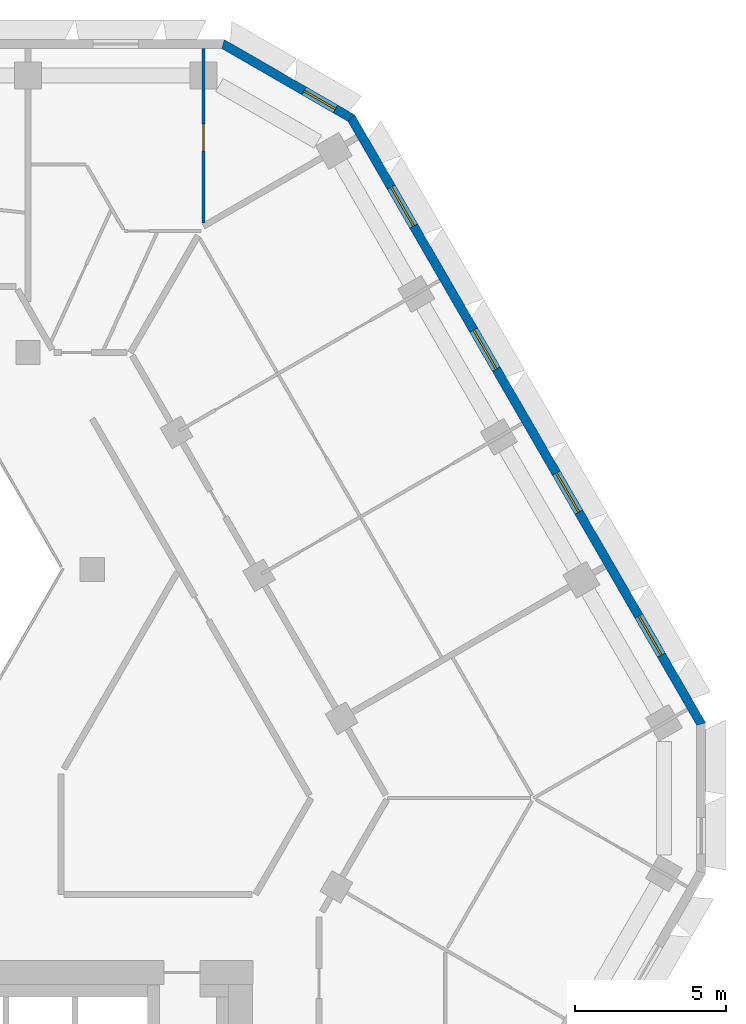
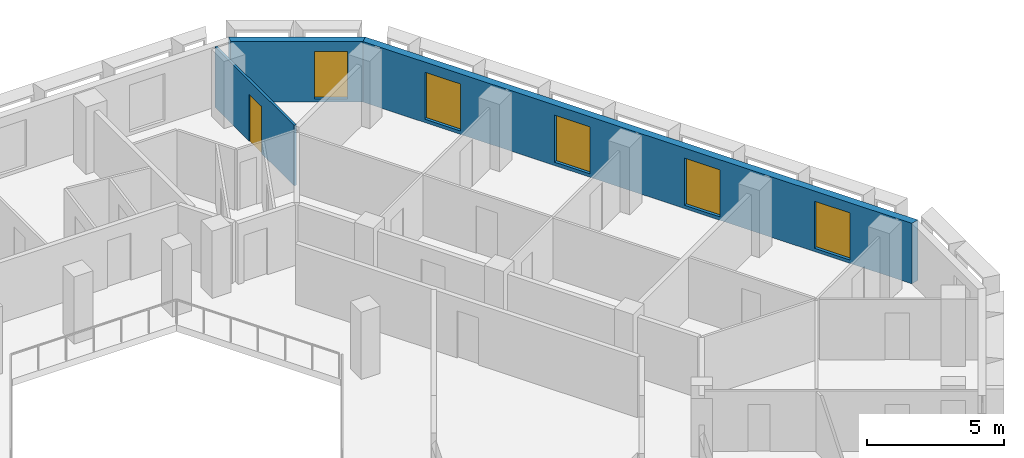
# One storey, part 9 of 15: 5 windows, 3 walls, 1 door, 6 openings.
"""IFC4 building model written with IfcOpenShell, lengths in metres."""

import ifcopenshell
import ifcopenshell.guid

model = None  # the IFC model being written
_history = None  # IfcOwnerHistory: only IFC2X3 demands one
_inside = {}  # id of a spatial element -> (the spatial element, [elements in it])
_under = {}  # id of a project, library or spatial element -> (it, [spatial elements below it])
_declared = {}  # id of a project -> (the project, [libraries it declares])
_typed = {}  # id of a type object -> (the type object, [elements of that type])
_made_of = {}  # id of a material, layer set ... -> (it, [elements and type objects made of it])


def new_model(schema):
    """Start an empty IFC model of exactly this schema.

    Asked for "IFC4X3", IfcOpenShell would pick the latest addendum, in which some entities
    have other attributes; the version numbers below select the first issue.
    IFC2X3 requires an IfcOwnerHistory on every rooted entity: one is made here for all.
    """
    global model, _history
    if schema == "IFC4X3":
        model = ifcopenshell.file(schema_version=(4, 3, 0, 0))
    else:
        model = ifcopenshell.file(schema=schema)
    _inside.clear()
    _under.clear()
    _declared.clear()
    _typed.clear()
    _made_of.clear()
    _history = None
    if model.schema == "IFC2X3":
        org = make("IfcOrganization", Name="unknown")
        user = make(
            "IfcPersonAndOrganization",
            ThePerson=make("IfcPerson", FamilyName="unknown"),
            TheOrganization=org,
        )
        app = make(
            "IfcApplication",
            ApplicationDeveloper=org,
            Version="unknown",
            ApplicationFullName="unknown",
            ApplicationIdentifier="unknown",
        )
        _history = make(
            "IfcOwnerHistory",
            OwningUser=user,
            OwningApplication=app,
            ChangeAction="ADDED",
            CreationDate=0,
        )
    return model


def make(cls, **values):
    """One entity of the class cls with the attributes given. An attribute that is None is left unset."""
    return model.create_entity(
        cls, **{name: value for name, value in values.items() if value is not None}
    )


def rooted(cls, **values):
    """An entity with a GlobalId (a new one), such as an element, a storey or a relation."""
    return make(cls, GlobalId=ifcopenshell.guid.new(), OwnerHistory=_history, **values)


def si_unit(unit_type, name, prefix=None):
    """IfcSIUnit, for example si_unit("LENGTHUNIT", "METRE", prefix="MILLI")."""
    return make("IfcSIUnit", UnitType=unit_type, Prefix=prefix, Name=name)


def assignment(units):
    """IfcUnitAssignment: the units of a project."""
    return None if units is None else make("IfcUnitAssignment", Units=units)


def point(xyz):
    """IfcCartesianPoint."""
    return None if xyz is None else make("IfcCartesianPoint", Coordinates=xyz)


def direction(xyz):
    """IfcDirection."""
    return None if xyz is None else make("IfcDirection", DirectionRatios=xyz)


def frame(location, z_axis=None, x_axis=None):
    """IfcAxis2Placement3D, a coordinate frame: its origin and axes. An axis left out is left unset."""
    return make(
        "IfcAxis2Placement3D",
        Location=point(location),
        Axis=direction(z_axis),
        RefDirection=direction(x_axis),
    )


def frame_2d(location, x_axis=None):
    """IfcAxis2Placement2D, a coordinate frame in the plane: its origin and x axis."""
    return make(
        "IfcAxis2Placement2D", Location=point(location), RefDirection=direction(x_axis)
    )


def origin():
    """The frame at (0, 0, 0) with its axes left unset."""
    return frame((0.0, 0.0, 0.0))


def place(relative_to, where):
    """IfcLocalPlacement: puts the frame where relative to a parent placement (None: the world)."""
    return make(
        "IfcLocalPlacement", PlacementRelTo=relative_to, RelativePlacement=where
    )


def context(
    kind, dimensions, precision=None, world=None, true_north=None, identifier=None
):
    """IfcGeometricRepresentationContext, for example the 3D "Model" context."""
    return make(
        "IfcGeometricRepresentationContext",
        ContextIdentifier=identifier,
        ContextType=kind,
        CoordinateSpaceDimension=dimensions,
        Precision=precision,
        WorldCoordinateSystem=world,
        TrueNorth=true_north,
    )


def subcontext(parent, identifier, kind, view, scale=None):
    """IfcGeometricRepresentationSubContext, for example "Body" below "Model"."""
    return make(
        "IfcGeometricRepresentationSubContext",
        ContextIdentifier=identifier,
        ContextType=kind,
        ParentContext=parent,
        TargetScale=scale,
        TargetView=view,
    )


def project(units=None, contexts=None):
    """IfcProject with its units and contexts."""
    return rooted(
        "IfcProject",
        Name="project",
        RepresentationContexts=contexts,
        UnitsInContext=assignment(units),
    )


def spatial(cls, under=None, at=None, **own):
    """A site, building, storey or space (cls), placed at a placement, below another one or the project."""
    s = rooted(cls, ObjectPlacement=at, **own)
    if under is not None:
        _under.setdefault(under.id(), (under, []))[1].append(s)
    return s


def polyline(points):
    """IfcPolyline through the points."""
    return make("IfcPolyline", Points=[point(p) for p in points])


def profile(cls, at=None, kind="AREA", **sizes):
    """A parametric profile (cls). Its sizes go by their IFC names, for example OverallWidth=200.0."""
    return make(cls, ProfileType=kind, Position=at, **sizes)


def rectangle(**sizes):
    """IfcRectangleProfileDef."""
    return profile("IfcRectangleProfileDef", **sizes)


def outline(outer, holes=None, kind="AREA"):
    """IfcArbitraryClosedProfileDef: a profile drawn as a closed curve; with holes, ...WithVoids."""
    if holes is None:
        return make("IfcArbitraryClosedProfileDef", ProfileType=kind, OuterCurve=outer)
    return make(
        "IfcArbitraryProfileDefWithVoids",
        ProfileType=kind,
        OuterCurve=outer,
        InnerCurves=holes,
    )


def extrude(swept, where, along, depth):
    """IfcExtrudedAreaSolid: the profile swept, set in the frame where, extruded along a direction by depth."""
    return make(
        "IfcExtrudedAreaSolid",
        SweptArea=swept,
        Position=where,
        ExtrudedDirection=direction(along),
        Depth=depth,
    )


def shape(context_of_items, identifier, shape_type, items):
    """IfcShapeRepresentation: the items that make up one representation, for example the "Body"."""
    return make(
        "IfcShapeRepresentation",
        ContextOfItems=context_of_items,
        RepresentationIdentifier=identifier,
        RepresentationType=shape_type,
        Items=items,
    )


def material(Name=None, Category=None):
    """IfcMaterial."""
    return make("IfcMaterial", Name=Name, Category=Category)


def layer(
    of_material, thickness, ventilated=None, Name=None, Category=None, Priority=None
):
    """IfcMaterialLayer: one layer of a wall or slab, of a material (None: an air gap)."""
    return make(
        "IfcMaterialLayer",
        Material=of_material,
        LayerThickness=thickness,
        IsVentilated=ventilated,
        Name=Name,
        Category=Category,
        Priority=Priority,
    )


def layer_set(layers, Name=None):
    """IfcMaterialLayerSet."""
    return make("IfcMaterialLayerSet", MaterialLayers=layers, LayerSetName=Name)


def made_of(thing, what):
    """Note that an element or type object is made of a material, layer set ...; save() writes the relation."""
    if what is not None:
        _made_of.setdefault(what.id(), (what, []))[1].append(thing)
    return thing


def type_object(cls, material=None, **own):
    """A type object (cls), such as IfcWallType, which elements share."""
    return made_of(rooted(cls, **own), material)


def element(
    cls,
    number,
    at=None,
    inside=None,
    cuts=None,
    type_object=None,
    material=None,
    context=None,
    identifier="Body",
    shape_type=None,
    held_by="IfcProductDefinitionShape",
    body=None,
    shapes=None,
    **own,
):
    """One element of the class cls, such as IfcWall. Its Tag is "e" and its number.

    at: its placement. inside: the storey or other place that contains it. cuts: it is an
    opening in that element (IfcRelVoidsElement). A single representation is given by context,
    identifier, shape_type and body (its items); several are given by shapes. held_by: the class
    of the entity that holds the representations. save() writes the other relations.
    """
    e = rooted(cls, Tag="e%d" % number, ObjectPlacement=at, **own)
    if body is not None:
        shapes = [shape(context, identifier, shape_type, body)]
    if shapes is not None:
        e.Representation = make(held_by, Representations=shapes)
    if inside is not None:
        _inside.setdefault(inside.id(), (inside, []))[1].append(e)
    if cuts is not None:
        rooted(
            "IfcRelVoidsElement", RelatingBuildingElement=cuts, RelatedOpeningElement=e
        )
    if type_object is not None:
        _typed.setdefault(type_object.id(), (type_object, []))[1].append(e)
    return made_of(e, material)


def fill(opening, filler):
    """IfcRelFillsElement: the door or window that sits in an opening."""
    return rooted(
        "IfcRelFillsElement",
        RelatingOpeningElement=opening,
        RelatedBuildingElement=filler,
    )


def aggregate(whole, parts):
    """IfcRelAggregates: a whole, such as a stair, and the parts it consists of."""
    return rooted("IfcRelAggregates", RelatingObject=whole, RelatedObjects=parts)


def save(model, path):
    """Write the relations noted so far, then the file.

    IfcRelAggregates (storeys below a building ...), IfcRelContainedInSpatialStructure (elements
    in a storey), IfcRelDefinesByType, IfcRelAssociatesMaterial and IfcRelDeclares: one each for
    every whole, place, type object, material and project.
    """
    for whole, parts in _under.values():
        aggregate(whole, parts)
    for where, things in _inside.values():
        rooted(
            "IfcRelContainedInSpatialStructure",
            RelatedElements=things,
            RelatingStructure=where,
        )
    for kind, things in _typed.values():
        rooted("IfcRelDefinesByType", RelatedObjects=things, RelatingType=kind)
    for what, things in _made_of.values():
        rooted("IfcRelAssociatesMaterial", RelatedObjects=things, RelatingMaterial=what)
    for by, libraries in _declared.values():
        rooted("IfcRelDeclares", RelatingContext=by, RelatedDefinitions=libraries)
    model.write(path)


model = new_model("IFC4")

# Units and contexts
model_context = context("Model", 3, precision=1e-05, world=origin(), true_north=direction((0.0, 1.0)))
body_context = subcontext(model_context, "Body", "Model", "MODEL_VIEW")
ifc_project = project(units=[si_unit("LENGTHUNIT", "METRE"), si_unit("AREAUNIT", "SQUARE_METRE"), si_unit("VOLUMEUNIT", "CUBIC_METRE"), si_unit("PLANEANGLEUNIT", "RADIAN"), si_unit("MASSUNIT", "GRAM", prefix="KILO")], contexts=[model_context])

# Site, building, storey
site_placement = place(None, origin())
site = spatial("IfcSite", under=ifc_project, at=site_placement, CompositionType="ELEMENT")
building_placement = place(site_placement, origin())
building = spatial("IfcBuilding", under=site, at=building_placement, Name="Beryl Residences", CompositionType="ELEMENT")
storey_placement = place(building_placement, frame((0.0, 0.0, 129.60009765625)))
storey = spatial("IfcBuildingStorey", under=building, at=storey_placement, Name="L39", CompositionType="ELEMENT", Elevation=129.60009765625)

# Wall, openings, windows
ifc_material_1 = material(Name="Composite metal panel with mineral wool insulation")
ifc_layer_1 = layer(ifc_material_1, 0.300048828125)
ifc_layer_set_1 = layer_set([ifc_layer_1], Name="ES1 pale metal composite panel wall 300 mm")
wall_type_1 = type_object("IfcWallType", Name="ES1 pale metal composite panel wall 300 mm", PredefinedType="SOLIDWALL", material=ifc_layer_set_1)
wall_1_placement = place(storey_placement, frame((28.218017578125, 2.824951171875, 0.0), z_axis=(0.0, 0.0, 1.0), x_axis=(-0.500020536353, 0.866013546791, 0.0)))
wall_1 = element("IfcWall", 1, at=wall_1_placement, inside=storey, type_object=wall_type_1, Name="ES1 external wall L39 NE", PredefinedType="SOLIDWALL", context=body_context, shape_type="SweptSolid", body=[
    extrude(outline(polyline([(0.0, -0.14990234375), (23.3251953125, -0.14990234375), (23.244873046875, 0.14990234375), (0.080322265625, 0.14990234375), (0.0, -0.14990234375)])), origin(), (0.0, 0.0, 1.0), 2.699951171875),
])
opening_1_placement = place(wall_1_placement, frame((2.68505859375, 0.0, 0.14990234375)))
opening_1 = element("IfcOpeningElement", 2, at=opening_1_placement, cuts=wall_1, Name="Opening W1", PredefinedType="OPENING", context=body_context, shape_type="SweptSolid", body=[
    extrude(rectangle(XDim=1.5, YDim=2.10009765625, at=frame_2d((0.75, 1.050048828125))), frame((0.0, 0.159912109375, 0.0), z_axis=(0.0, -1.0, 0.0), x_axis=(1.0, 0.0, 0.0)), (0.0, 0.0, 1.0), 0.320068359375),
])
opening_2_placement = place(wall_1_placement, frame((8.169921875, 0.0, 0.14990234375)))
opening_2 = element("IfcOpeningElement", 3, at=opening_2_placement, cuts=wall_1, Name="Opening W1", PredefinedType="OPENING", context=body_context, shape_type="SweptSolid", body=[
    extrude(rectangle(XDim=1.5, YDim=2.10009765625, at=frame_2d((0.75, 1.050048828125))), frame((0.0, 0.159912109375, 0.0), z_axis=(0.0, -1.0, 0.0), x_axis=(1.0, 0.0, 0.0)), (0.0, 0.0, 1.0), 0.320068359375),
])
opening_3_placement = place(wall_1_placement, frame((13.655029296875, 0.0, 0.14990234375)))
opening_3 = element("IfcOpeningElement", 4, at=opening_3_placement, cuts=wall_1, Name="Opening W1", PredefinedType="OPENING", context=body_context, shape_type="SweptSolid", body=[
    extrude(rectangle(XDim=1.5, YDim=2.10009765625, at=frame_2d((0.75, 1.050048828125))), frame((0.0, 0.159912109375, 0.0), z_axis=(0.0, -1.0, 0.0), x_axis=(1.0, 0.0, 0.0)), (0.0, 0.0, 1.0), 0.320068359375),
])
opening_4_placement = place(wall_1_placement, frame((19.139892578125, 0.0, 0.14990234375)))
opening_4 = element("IfcOpeningElement", 5, at=opening_4_placement, cuts=wall_1, Name="Opening W1", PredefinedType="OPENING", context=body_context, shape_type="SweptSolid", body=[
    extrude(rectangle(XDim=1.5, YDim=2.10009765625, at=frame_2d((0.75, 1.050048828125))), frame((0.0, 0.159912109375, 0.0), z_axis=(0.0, -1.0, 0.0), x_axis=(1.0, 0.0, 0.0)), (0.0, 0.0, 1.0), 0.320068359375),
])
ifc_material_2 = material(Name="Aluminium and clear glass", Category="aluminium")
window_type_1 = type_object("IfcWindowType", Name="W1 cell window 1500 x 2100 mm", PartitioningType="SINGLE_PANEL", PredefinedType="WINDOW", material=ifc_material_2)
window_1_placement = place(opening_1_placement, origin())
window_1 = element("IfcWindow", 6, at=window_1_placement, inside=storey, type_object=window_type_1, Name="W1 window L39 NE 2", OverallHeight=2.10009765625, OverallWidth=1.5, PartitioningType="SINGLE_PANEL", PredefinedType="WINDOW", context=body_context, shape_type="SweptSolid", body=[
    extrude(rectangle(XDim=1.5, YDim=2.10009765625, at=frame_2d((0.75, 1.050048828125))), frame((0.0, 0.030029296875, 0.0), z_axis=(0.0, -1.0, 0.0), x_axis=(1.0, 0.0, 0.0)), (0.0, 0.0, 1.0), 0.06005859375),
])
fill(opening_1, window_1)
window_2_placement = place(opening_2_placement, origin())
window_2 = element("IfcWindow", 7, at=window_2_placement, inside=storey, type_object=window_type_1, Name="W1 window L39 NE 4", OverallHeight=2.10009765625, OverallWidth=1.5, PartitioningType="SINGLE_PANEL", PredefinedType="WINDOW", context=body_context, shape_type="SweptSolid", body=[
    extrude(rectangle(XDim=1.5, YDim=2.10009765625, at=frame_2d((0.75, 1.050048828125))), frame((0.0, 0.030029296875, 0.0), z_axis=(0.0, -1.0, 0.0), x_axis=(1.0, 0.0, 0.0)), (0.0, 0.0, 1.0), 0.06005859375),
])
fill(opening_2, window_2)
window_3_placement = place(opening_3_placement, origin())
window_3 = element("IfcWindow", 8, at=window_3_placement, inside=storey, type_object=window_type_1, Name="W1 window L39 NE 6", OverallHeight=2.10009765625, OverallWidth=1.5, PartitioningType="SINGLE_PANEL", PredefinedType="WINDOW", context=body_context, shape_type="SweptSolid", body=[
    extrude(rectangle(XDim=1.5, YDim=2.10009765625, at=frame_2d((0.75, 1.050048828125))), frame((0.0, 0.030029296875, 0.0), z_axis=(0.0, -1.0, 0.0), x_axis=(1.0, 0.0, 0.0)), (0.0, 0.0, 1.0), 0.06005859375),
])
fill(opening_3, window_3)
window_4_placement = place(opening_4_placement, origin())
window_4 = element("IfcWindow", 9, at=window_4_placement, inside=storey, type_object=window_type_1, Name="W1 window L39 NE 8", OverallHeight=2.10009765625, OverallWidth=1.5, PartitioningType="SINGLE_PANEL", PredefinedType="WINDOW", context=body_context, shape_type="SweptSolid", body=[
    extrude(rectangle(XDim=1.5, YDim=2.10009765625, at=frame_2d((0.75, 1.050048828125))), frame((0.0, 0.030029296875, 0.0), z_axis=(0.0, -1.0, 0.0), x_axis=(1.0, 0.0, 0.0)), (0.0, 0.0, 1.0), 0.06005859375),
])
fill(opening_4, window_4)

# Wall, opening, window
wall_2_placement = place(storey_placement, frame((16.610107421875, 22.969970703125, 0.0), z_axis=(0.0, 0.0, 1.0), x_axis=(-0.866022959057, 0.500004234368, 0.0)))
wall_2 = element("IfcWall", 10, at=wall_2_placement, inside=storey, type_object=wall_type_1, Name="ES1 external wall L39 NE-N", PredefinedType="SOLIDWALL", context=body_context, shape_type="SweptSolid", body=[
    extrude(outline(polyline([(0.0, -0.14990234375), (5.0, -0.14990234375), (4.919677734375, 0.14990234375), (0.080322265625, 0.14990234375), (0.0, -0.14990234375)])), origin(), (0.0, 0.0, 1.0), 2.699951171875),
])
opening_5_placement = place(wall_2_placement, frame((0.64990234375, 0.0, 0.14990234375)))
opening_5 = element("IfcOpeningElement", 11, at=opening_5_placement, cuts=wall_2, Name="Opening W2", PredefinedType="OPENING", context=body_context, shape_type="SweptSolid", body=[
    extrude(rectangle(XDim=1.199951171875, YDim=2.10009765625, at=frame_2d((0.60009765625, 1.050048828125))), frame((0.0, 0.159912109375, 0.0), z_axis=(0.0, -1.0, 0.0), x_axis=(1.0, 0.0, 0.0)), (0.0, 0.0, 1.0), 0.320068359375),
])
ifc_material_3 = material(Name="Aluminium and clear glass", Category="aluminium")
window_type_2 = type_object("IfcWindowType", Name="W2 chamfer window 1200 x 2100 mm", PartitioningType="SINGLE_PANEL", PredefinedType="WINDOW", material=ifc_material_3)
window_5_placement = place(opening_5_placement, origin())
window_5 = element("IfcWindow", 12, at=window_5_placement, inside=storey, type_object=window_type_2, Name="W2 window L39 NE-N 1", OverallHeight=2.10009765625, OverallWidth=1.199951171875, PartitioningType="SINGLE_PANEL", PredefinedType="WINDOW", context=body_context, shape_type="SweptSolid", body=[
    extrude(rectangle(XDim=1.199951171875, YDim=2.10009765625, at=frame_2d((0.60009765625, 1.050048828125))), frame((0.0, 0.030029296875, 0.0), z_axis=(0.0, -1.0, 0.0), x_axis=(1.0, 0.0, 0.0)), (0.0, 0.0, 1.0), 0.06005859375),
])
fill(opening_5, window_5)

# Wall, opening, door
ifc_material_4 = material(Name="Gypsum board partition on steel studs", Category="steel")
ifc_layer_2 = layer(ifc_material_4, 0.10009765625)
ifc_layer_set_2 = layer_set([ifc_layer_2], Name="PT1 partition 100 mm gypsum board on steel studs")
wall_type_2 = type_object("IfcWallType", Name="PT1 partition 100 mm gypsum board on steel studs", PredefinedType="PARTITIONING", material=ifc_layer_set_2)
wall_3_placement = place(storey_placement, frame((11.662109375, 19.513916015625, 0.0), z_axis=(0.0, 0.0, 1.0), x_axis=(0.0, 1.0, 0.0)))
wall_3 = element("IfcWall", 13, at=wall_3_placement, inside=storey, type_object=wall_type_2, Name="Wall PT1 L39 041", PredefinedType="PARTITIONING", context=body_context, shape_type="SweptSolid", body=[
    extrude(rectangle(XDim=5.7861328125, YDim=0.10009765625, at=frame_2d((2.89306640625, 0.0))), origin(), (0.0, 0.0, 1.0), 2.699951171875),
])
opening_6_placement = place(wall_3_placement, frame((2.385009765625, 0.0, 0.0)))
opening_6 = element("IfcOpeningElement", 14, at=opening_6_placement, cuts=wall_3, Name="Opening D1229", PredefinedType="OPENING", context=body_context, shape_type="SweptSolid", body=[
    extrude(rectangle(XDim=0.89990234375, YDim=2.10009765625, at=frame_2d((0.449951171875, 1.050048828125))), frame((0.0, 0.06005859375, 0.0), z_axis=(0.0, -1.0, 0.0), x_axis=(1.0, 0.0, 0.0)), (0.0, 0.0, 1.0), 0.1201171875),
])
ifc_material_5 = material(Name="Timber door leaf", Category="wood")
door_type = type_object("IfcDoorType", Name="D2 room door 900 x 2100 mm", OperationType="SINGLE_SWING_LEFT", PredefinedType="DOOR", material=ifc_material_5)
door_placement = place(opening_6_placement, origin())
door = element("IfcDoor", 15, at=door_placement, inside=storey, type_object=door_type, Name="Door D1229 L39 001", OperationType="SINGLE_SWING_LEFT", OverallHeight=2.10009765625, OverallWidth=0.89990234375, PredefinedType="DOOR", context=body_context, shape_type="SweptSolid", body=[
    extrude(rectangle(XDim=0.89990234375, YDim=2.10009765625, at=frame_2d((0.449951171875, 1.050048828125))), frame((0.0, 0.02490234375, 0.0), z_axis=(0.0, -1.0, 0.0), x_axis=(1.0, 0.0, 0.0)), (0.0, 0.0, 1.0), 0.050048828125),
])
fill(opening_6, door)

save(model, "model.ifc")
